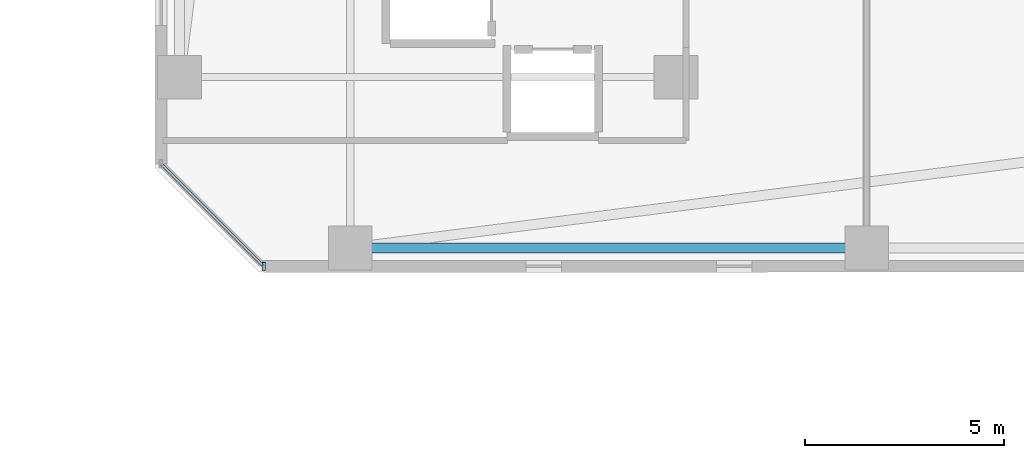
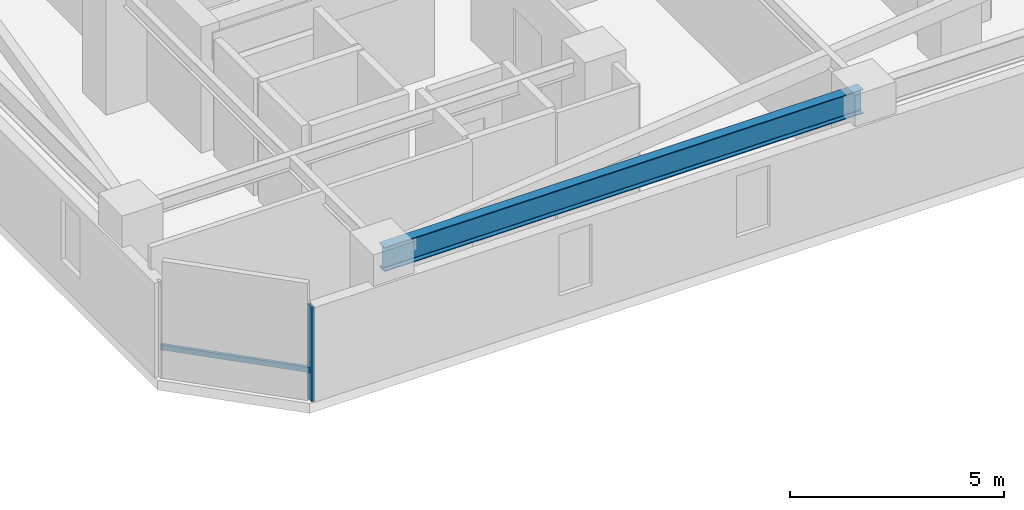
# One storey, part 12 of 32: 2 members, 1 beam, 1 element without a shape of its own.
"""IFC4 building model written with IfcOpenShell, lengths in metres."""

from ifc_helpers import new_model, si_unit, direction, frame, origin, origin_2d, place, context, subcontext, project, spatial, hollow_rectangle, i_section, extrude, material, material_profile, profile_set, type_object, element, aggregate, save


model = new_model("IFC4")

# Units and contexts
model_context = context("Model", 3, precision=1e-05, world=origin(), true_north=direction((0.0, 1.0)))
body_context = subcontext(model_context, "Body", "Model", "MODEL_VIEW")
ifc_project = project(units=[si_unit("LENGTHUNIT", "METRE"), si_unit("AREAUNIT", "SQUARE_METRE"), si_unit("VOLUMEUNIT", "CUBIC_METRE"), si_unit("PLANEANGLEUNIT", "RADIAN"), si_unit("MASSUNIT", "GRAM", prefix="KILO")], contexts=[model_context])

# Site, building, storey
site_placement = place(None, origin())
site = spatial("IfcSite", under=ifc_project, at=site_placement, CompositionType="ELEMENT")
building_placement = place(site_placement, origin())
building = spatial("IfcBuilding", under=site, at=building_placement, Name="Thornwick Lancets Civic Towers", CompositionType="ELEMENT")
storey_placement = place(building_placement, frame((0.0, 0.0, 152.699951171875)))
storey = spatial("IfcBuildingStorey", under=building, at=storey_placement, Name="L40", CompositionType="ELEMENT", Elevation=152.699951171875)

# Beam
ifc_material_1 = material(Name="Steel S355JR", Category="steel")
ifc_material_profile_1 = material_profile(ifc_material_1, i_section(OverallWidth=0.255859375, OverallDepth=0.69287109375, WebThickness=0.014404296875, FlangeThickness=0.023681640625, FilletRadius=0.01513671875, at=origin_2d()), Name="UKB 686x254x170")
ifc_profile_set_1 = profile_set([ifc_material_profile_1], Name="Steel S355JR")
beam_type = type_object("IfcBeamType", Name="BM_GIRD_686_170", PredefinedType="BEAM", material=ifc_profile_set_1)
beam_placement = place(storey_placement, frame((88.419921875, 9.699951171875, 3.013427734375), z_axis=(-1.0, 0.0, 0.0), x_axis=(0.0, -1.0, 0.0)))
element("IfcBeam", 1, at=beam_placement, inside=storey, type_object=beam_type, Name="BM-SPINE-L40-B-10-11", PredefinedType="BEAM", context=body_context, shape_type="SweptSolid", body=[
    extrude(i_section(OverallWidth=0.255859375, OverallDepth=0.69287109375, WebThickness=0.014404296875, FlangeThickness=0.023681640625, FilletRadius=0.01513671875, at=origin_2d()), origin(), (0.0, 0.0, 1.0), 12.919921875),
])

# Curtain wall, members
ifc_material_2 = material(Name="Mid-zone chamfered-corner unitised glass curtain wall", Category="glass")
curtain_wall_type = type_object("IfcCurtainWallType", Name="CW_SYS_04", PredefinedType="NOTDEFINED", material=ifc_material_2)
curtain_wall_placement = place(storey_placement, origin())
curtain_wall = element("IfcCurtainWall", 2, at=curtain_wall_placement, inside=storey, type_object=curtain_wall_type, Name="L40 Curtain Wall CW-L40-B-E7", PredefinedType="NOTDEFINED")
ifc_material_3 = material(Name="Thermally broken bronze aluminium S355", Category="steel")
ifc_material_profile_2 = material_profile(ifc_material_3, hollow_rectangle(XDim=0.080078125, YDim=0.199951171875, WallThickness=0.006103515625, at=origin_2d()), Name="RHS 200x80x6")
ifc_profile_set_2 = profile_set([ifc_material_profile_2], Name="Thermally broken bronze aluminium S355")
member_type_1 = type_object("IfcMemberType", Name="CW_MUL_200", PredefinedType="MULLION", material=ifc_profile_set_2)
member_1_placement = place(storey_placement, frame((73.318603515625, 9.2353515625, 0.0), z_axis=(0.0, 0.0, 1.0), x_axis=(1.0, 0.0, 0.0)))
member_1 = element("IfcMember", 3, at=member_1_placement, type_object=member_type_1, Name="CW-L40-B-E7 Mullion 1", PredefinedType="MULLION", context=body_context, shape_type="SweptSolid", body=[
    extrude(hollow_rectangle(XDim=0.080078125, YDim=0.199951171875, WallThickness=0.006103515625, at=origin_2d()), origin(), (0.0, 0.0, 1.0), 2.699951171875),
])
ifc_material_profile_3 = material_profile(ifc_material_3, hollow_rectangle(XDim=0.074951171875, YDim=0.14990234375, WallThickness=0.0048828125, at=origin_2d()), Name="RHS 150x75x5")
ifc_profile_set_3 = profile_set([ifc_material_profile_3], Name="Thermally broken bronze aluminium S355")
member_type_2 = type_object("IfcMemberType", Name="CW_TRN_150", PredefinedType="USERDEFINED", material=ifc_profile_set_3)
member_2_placement = place(storey_placement, frame((70.74951171875, 11.804443359375, 0.85009765625), z_axis=(0.707106781187, -0.707106781187, 0.0), x_axis=(0.707106781187, 0.707106781187, 0.0)))
member_2 = element("IfcMember", 4, at=member_2_placement, type_object=member_type_2, Name="CW-L40-B-E7 Transom 0", ObjectType="TRANSOM", PredefinedType="USERDEFINED", context=body_context, shape_type="SweptSolid", body=[
    extrude(hollow_rectangle(XDim=0.074951171875, YDim=0.14990234375, WallThickness=0.0048828125, at=origin_2d()), origin(), (0.0, 0.0, 1.0), 3.61328125),
])
aggregate(curtain_wall, [member_1, member_2])

save(model, "model.ifc")
